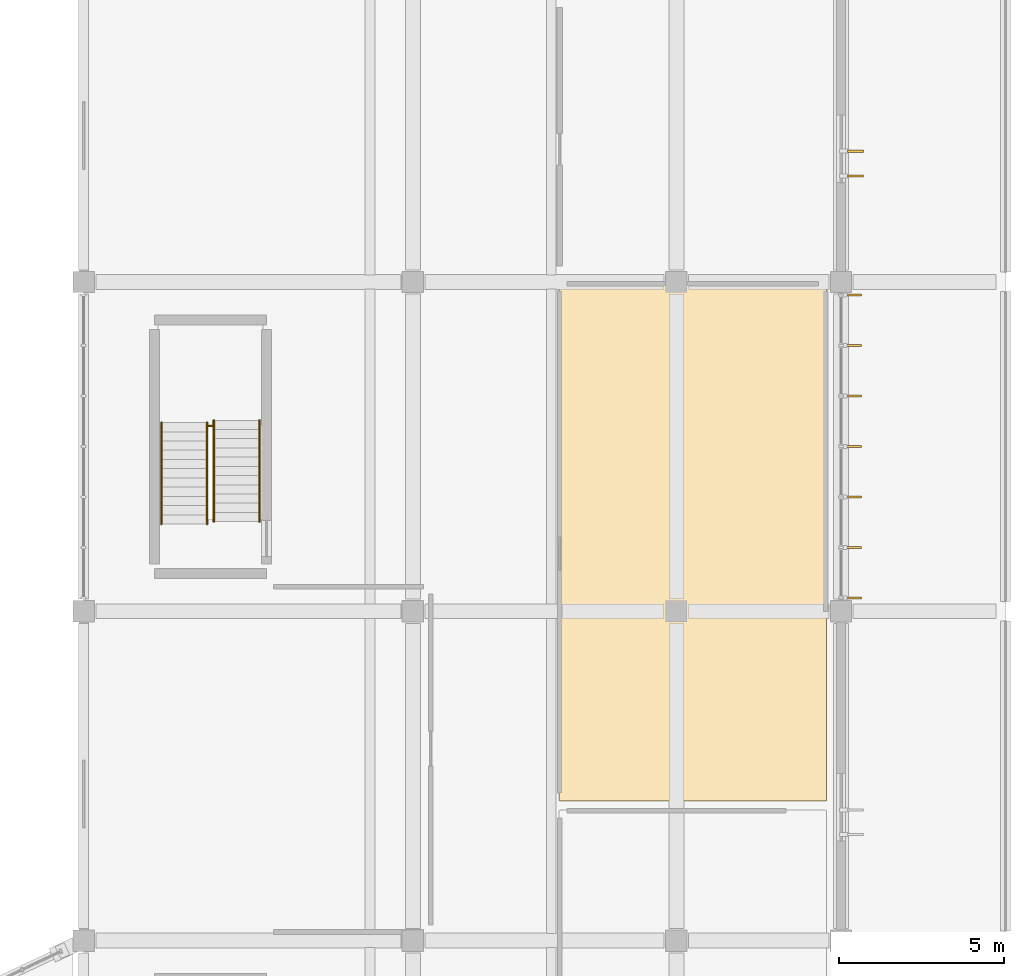
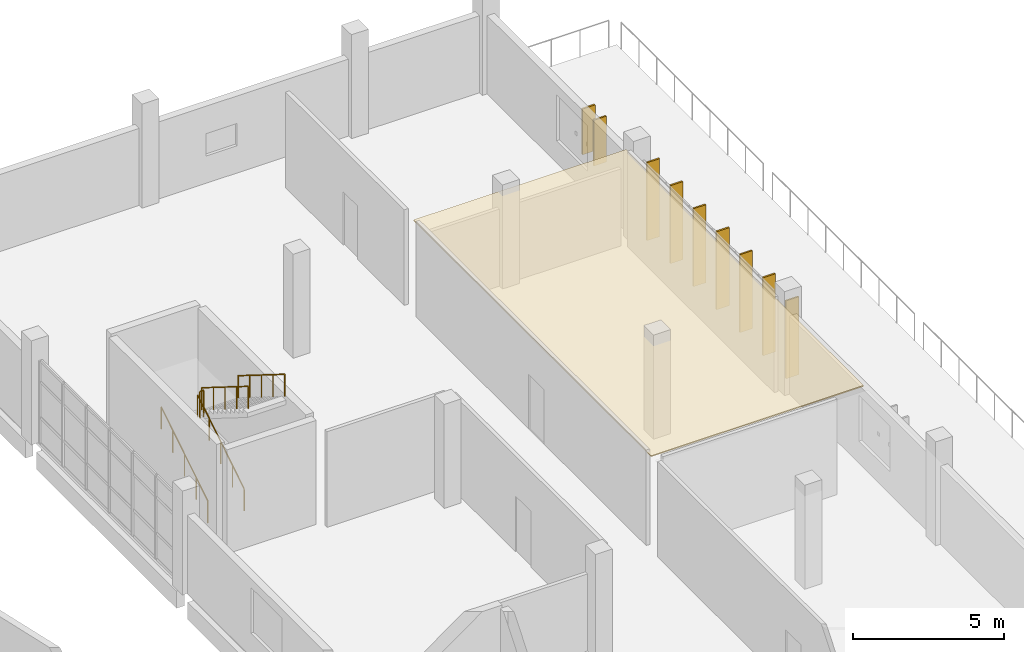
# One storey, part 141 of 142: 9 shading devices, 5 railings, 1 covering.
"""IFC4 building model written with IfcOpenShell, lengths in metres."""

from ifc_helpers import new_model, si_unit, direction, frame, origin, origin_2d, place, context, subcontext, project, spatial, polyline, rectangle, circle, outline, extrude, material, layer, layer_set, type_object, element, save


model = new_model("IFC4")

# Units and contexts
model_context = context("Model", 3, precision=1e-05, world=origin(), true_north=direction((0.0, 1.0)))
body_context = subcontext(model_context, "Body", "Model", "MODEL_VIEW")
ifc_project = project(units=[si_unit("LENGTHUNIT", "METRE"), si_unit("AREAUNIT", "SQUARE_METRE"), si_unit("VOLUMEUNIT", "CUBIC_METRE"), si_unit("PLANEANGLEUNIT", "RADIAN"), si_unit("MASSUNIT", "GRAM", prefix="KILO")], contexts=[model_context])

# Site, building, storey
site_placement = place(None, origin())
site = spatial("IfcSite", under=ifc_project, at=site_placement, CompositionType="ELEMENT")
building_placement = place(site_placement, origin())
building = spatial("IfcBuilding", under=site, at=building_placement, Name="Corvandel Quay Wholesale Market", CompositionType="ELEMENT")
storey_placement = place(building_placement, frame((0.0, 0.0, 10.800048828125)))
storey = spatial("IfcBuildingStorey", under=building, at=storey_placement, Name="L02", CompositionType="ELEMENT", Elevation=10.800048828125)

# Covering
ifc_material_1 = material(Name="Perforated powder-coated aluminium acoustic panel", Category="aluminium")
ifc_layer_1 = layer(ifc_material_1, 0.044921875)
ifc_layer_set_1 = layer_set([ifc_layer_1], Name="Perforated powder-coated aluminium acoustic panel")
covering_type = type_object("IfcCoveringType", Name="Perforated Acoustic Baffle Ceiling CLG01", PredefinedType="CEILING", material=ifc_layer_set_1)
covering_placement = place(storey_placement, frame((0.0, 0.0, 3.7099609375)))
element("IfcCovering", 1, at=covering_placement, inside=storey, type_object=covering_type, Name="Suspended Ceiling CLG-033", PredefinedType="CEILING", context=body_context, shape_type="SweptSolid", body=[
    extrude(outline(polyline([(234.4580078125, 74.239990234375), (234.4560546875, 74.239990234375), (234.4541015625, 74.240966796875), (234.451904296875, 74.241943359375), (234.450927734375, 74.241943359375), (234.448974609375, 74.242919921875), (234.447021484375, 74.2451171875), (234.446044921875, 74.24609375), (234.445068359375, 74.2470703125), (234.443115234375, 74.2490234375), (234.44189453125, 74.2509765625), (234.44189453125, 74.251953125), (234.44091796875, 74.25390625), (234.43994140625, 74.256103515625), (234.43994140625, 74.258056640625), (234.43994140625, 74.260009765625), (234.43994140625, 89.93994140625), (234.43994140625, 89.94189453125), (234.43994140625, 89.944091796875), (234.44091796875, 89.946044921875), (234.44189453125, 89.947998046875), (234.44189453125, 89.948974609375), (234.443115234375, 89.950927734375), (234.445068359375, 89.952880859375), (234.446044921875, 89.9541015625), (234.447021484375, 89.955078125), (234.448974609375, 89.95703125), (234.450927734375, 89.9580078125), (234.451904296875, 89.9580078125), (234.4541015625, 89.958984375), (234.4560546875, 89.9599609375), (234.4580078125, 89.9599609375), (234.4599609375, 89.9599609375), (242.5400390625, 89.9599609375), (242.5419921875, 89.9599609375), (242.5439453125, 89.9599609375), (242.5458984375, 89.958984375), (242.548095703125, 89.9580078125), (242.549072265625, 89.9580078125), (242.551025390625, 89.95703125), (242.552978515625, 89.955078125), (242.553955078125, 89.9541015625), (242.554931640625, 89.952880859375), (242.556884765625, 89.950927734375), (242.55810546875, 89.948974609375), (242.55810546875, 89.947998046875), (242.55908203125, 89.946044921875), (242.56005859375, 89.944091796875), (242.56005859375, 89.94189453125), (242.56005859375, 89.93994140625), (242.56005859375, 74.260009765625), (242.56005859375, 74.258056640625), (242.56005859375, 74.256103515625), (242.55908203125, 74.25390625), (242.55810546875, 74.251953125), (242.55810546875, 74.2509765625), (242.556884765625, 74.2490234375), (242.554931640625, 74.2470703125), (242.553955078125, 74.24609375), (242.552978515625, 74.2451171875), (242.551025390625, 74.242919921875), (242.549072265625, 74.241943359375), (242.548095703125, 74.241943359375), (242.5458984375, 74.240966796875), (242.5439453125, 74.239990234375), (242.5419921875, 74.239990234375), (242.5400390625, 74.239990234375), (234.4599609375, 74.239990234375), (234.4580078125, 74.239990234375)])), origin(), (0.0, 0.0, 1.0), 0.044921875),
])

# Railings
ifc_material_2 = material(Name="Painted galvanised tubular steel", Category="steel")
ifc_layer_2 = layer(ifc_material_2, 0.054931640625)
ifc_layer_set_2 = layer_set([ifc_layer_2], Name="Painted galvanised tubular steel")
railing_type_1 = type_object("IfcRailingType", Name="Stairwell Inner Guard Railing GR02 1100mm", PredefinedType="GUARDRAIL", material=ifc_layer_set_2)
railing_placement = place(storey_placement, frame((223.77001953125, 85.6298828125, 2.099853515625)))
element("IfcRailing", 2, at=railing_placement, inside=storey, type_object=railing_type_1, Name="Stair Landing Well Guard 0220", PredefinedType="GUARDRAIL", context=body_context, shape_type="SweptSolid", body=[
    extrude(circle(Radius=0.02392578125, at=origin_2d()), frame((0.0, 0.0, 1.076171875), z_axis=(1.0, 0.0, 0.0), x_axis=(0.0, 1.0, 0.0)), (0.0, 0.0, 1.0), 0.159912109375),
    extrude(circle(Radius=0.02099609375, at=origin_2d()), origin(), (0.0, 0.0, 1.0), 1.052001953125),
    extrude(circle(Radius=0.02099609375, at=origin_2d()), frame((0.159912109375, 0.0, 0.0)), (0.0, 0.0, 1.0), 1.052001953125),
])
ifc_material_3 = material(Name="Brushed austenitic stainless steel Grade 316", Category="steel")
ifc_layer_3 = layer(ifc_material_3, 0.048095703125)
ifc_layer_set_3 = layer_set([ifc_layer_3], Name="Brushed austenitic stainless steel Grade 316")
railing_type_2 = type_object("IfcRailingType", Name="Tubular Stainless Stair Handrail HR01 915mm", PredefinedType="HANDRAIL", material=ifc_layer_set_3)
for number, where, name in (
    (3, (222.360107421875, 82.64990234375, 0.175048828125), "Stair Handrail 0216"),
    (4, (223.75, 82.64990234375, 0.175048828125), "Stair Handrail 0217"),
):
    element("IfcRailing", number, at=place(storey_placement, frame(where)), inside=storey, type_object=railing_type_2, Name=name, PredefinedType="HANDRAIL", context=body_context, shape_type="SweptSolid", body=[
        extrude(circle(Radius=0.02392578125, at=origin_2d()), frame((0.0, 0.0, 0.89111328125), z_axis=(0.0, 0.848028513186, 0.529950602248), x_axis=(-1.0, 0.0, 0.0)), (0.0, 0.0, 1.0), 3.632080078125),
        extrude(circle(Radius=0.02099609375, at=origin_2d()), origin(), (0.0, 0.0, 1.0), 0.866943359375),
        extrude(circle(Radius=0.02099609375, at=origin_2d()), frame((0.0, 0.77001953125, 0.481201171875)), (0.0, 0.0, 1.0), 0.866943359375),
        extrude(circle(Radius=0.02099609375, at=origin_2d()), frame((0.0, 1.5400390625, 0.96240234375)), (0.0, 0.0, 1.0), 0.866943359375),
        extrude(circle(Radius=0.02099609375, at=origin_2d()), frame((0.0, 2.31005859375, 1.443603515625)), (0.0, 0.0, 1.0), 0.866943359375),
        extrude(circle(Radius=0.02099609375, at=origin_2d()), frame((0.0, 3.080078125, 1.9248046875)), (0.0, 0.0, 1.0), 0.866943359375),
    ])
for number, where, name in (
    (5, (223.949951171875, 85.800048828125, 2.27490234375), "Stair Handrail 0218"),
    (6, (225.340087890625, 85.800048828125, 2.27490234375), "Stair Handrail 0219"),
):
    element("IfcRailing", number, at=place(storey_placement, frame(where)), inside=storey, type_object=railing_type_2, Name=name, PredefinedType="HANDRAIL", context=body_context, shape_type="SweptSolid", body=[
        extrude(circle(Radius=0.02392578125, at=origin_2d()), frame((0.0, 0.0, 0.89111328125), z_axis=(0.0, -0.847998304005, 0.529998940003), x_axis=(1.0, 0.0, 0.0)), (0.0, 0.0, 1.0), 3.632080078125),
        extrude(circle(Radius=0.02099609375, at=origin_2d()), origin(), (0.0, 0.0, 1.0), 0.866943359375),
        extrude(circle(Radius=0.02099609375, at=origin_2d()), frame((0.0, -0.77001953125, 0.481201171875)), (0.0, 0.0, 1.0), 0.866943359375),
        extrude(circle(Radius=0.02099609375, at=origin_2d()), frame((0.0, -1.5400390625, 0.96240234375)), (0.0, 0.0, 1.0), 0.866943359375),
        extrude(circle(Radius=0.02099609375, at=origin_2d()), frame((0.0, -2.31005859375, 1.44384765625)), (0.0, 0.0, 1.0), 0.866943359375),
        extrude(circle(Radius=0.02099609375, at=origin_2d()), frame((0.0, -3.080078125, 1.925048828125)), (0.0, 0.0, 1.0), 0.866943359375),
    ])

# Shading devices
ifc_material_4 = material(Name="Bronze anodised extruded aluminium 6063-T6", Category="aluminium")
shading_device_type = type_object("IfcShadingDeviceType", Name="Vertical Anodised Bronze Solar Fin FN01 480mm", PredefinedType="JALOUSIE", material=ifc_material_4)
for number, where, z_axis, x_axis, name in (
    (7, (243.3798828125, 80.39990234375, 0.10009765625), (0.0, 0.0, 1.0), (1.0, 0.0, 0.0), "Solar Fin 0705"),
    (8, (243.3798828125, 81.933349609375, 0.10009765625), (0.0, 0.0, 1.0), (1.0, 0.0, 0.0), "Solar Fin 0706"),
    (9, (243.3798828125, 83.466796875, 0.10009765625), (0.0, 0.0, 1.0), (1.0, 0.0, 0.0), "Solar Fin 0707"),
    (10, (243.3798828125, 85.0, 0.10009765625), (0.0, 0.0, 1.0), (1.0, 0.0, 0.0), "Solar Fin 0708"),
    (11, (243.3798828125, 86.533203125, 0.10009765625), (0.0, 0.0, 1.0), (1.0, 0.0, 0.0), "Solar Fin 0709"),
    (12, (243.3798828125, 88.066650390625, 0.10009765625), (0.0, 0.0, 1.0), (1.0, 0.0, 0.0), "Solar Fin 0710"),
    (13, (243.3798828125, 89.60009765625, 0.10009765625), (0.0, 0.0, 1.0), (1.0, 0.0, 0.0), "Solar Fin 0711"),
):
    element("IfcShadingDevice", number, at=place(storey_placement, frame(where, z_axis=z_axis, x_axis=x_axis)), inside=storey, type_object=shading_device_type, Name=name, PredefinedType="JALOUSIE", context=body_context, shape_type="SweptSolid", body=[
        extrude(rectangle(XDim=0.47998046875, YDim=0.06494140625, at=origin_2d()), origin(), (0.0, 0.0, 1.0), 3.14990234375),
    ])
for number, where, z_axis, x_axis, name in (
    (14, (243.43994140625, 93.219970703125, 0.89990234375), (0.0, 0.0, 1.0), (1.0, 0.0, 0.0), "Solar Fin 0712"),
    (15, (243.43994140625, 93.969970703125, 0.89990234375), (0.0, 0.0, 1.0), (1.0, 0.0, 0.0), "Solar Fin 0713"),
):
    element("IfcShadingDevice", number, at=place(storey_placement, frame(where, z_axis=z_axis, x_axis=x_axis)), inside=storey, type_object=shading_device_type, Name=name, PredefinedType="JALOUSIE", context=body_context, shape_type="SweptSolid", body=[
        extrude(rectangle(XDim=0.47998046875, YDim=0.06494140625, at=origin_2d()), origin(), (0.0, 0.0, 1.0), 1.85009765625),
    ])

save(model, "model.ifc")
